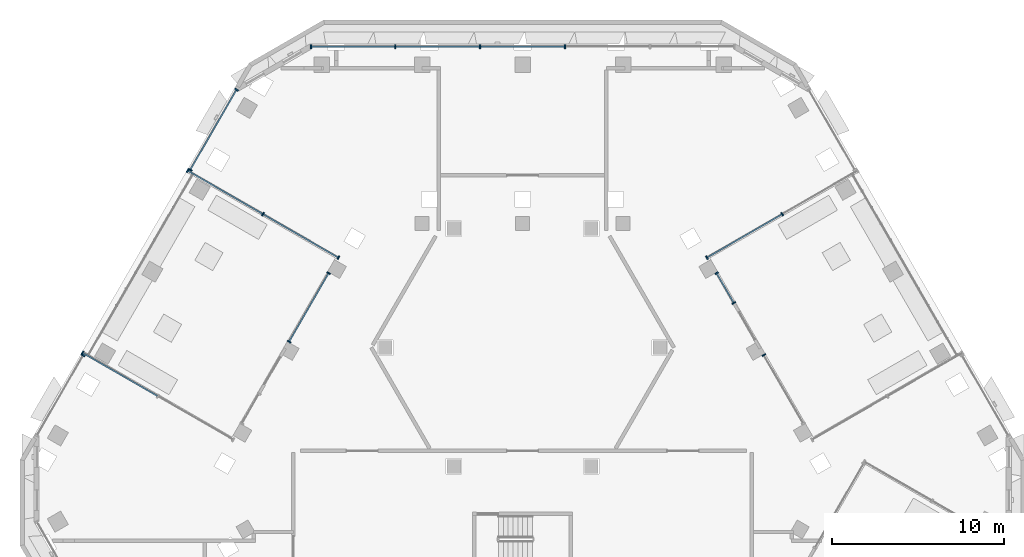
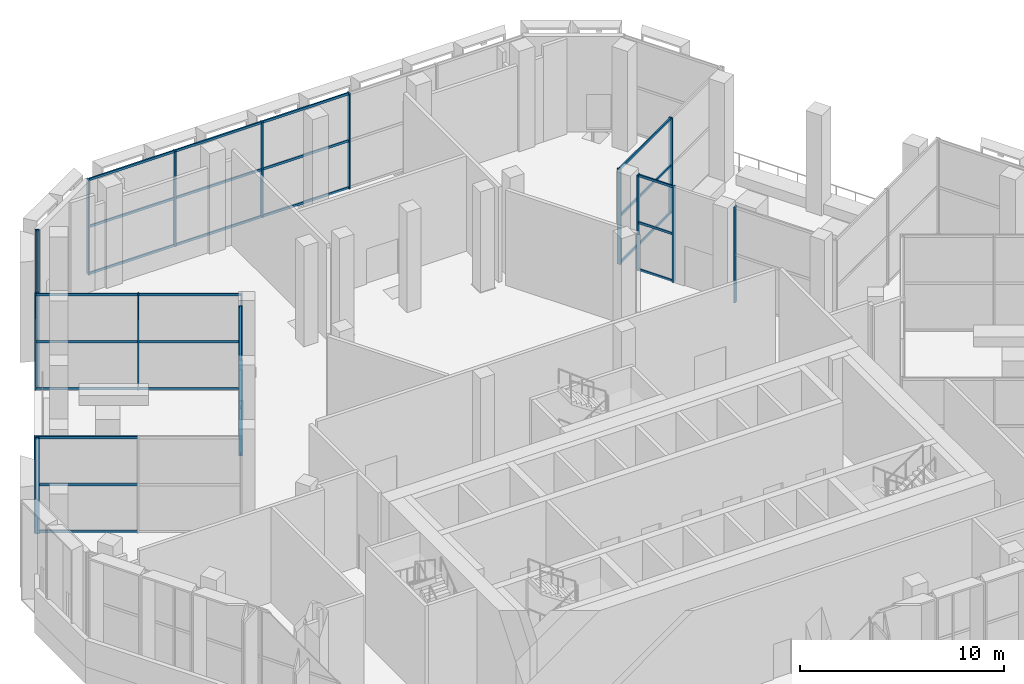
# One storey, part 5 of 27: 48 members, 9 elements without a shape of their own.
"""IFC4 building model written with IfcOpenShell, lengths in metres."""

from ifc_helpers import new_model, si_unit, direction, frame, origin, origin_2d, place, context, subcontext, project, spatial, rectangle, hollow_rectangle, extrude, material, material_profile, profile_set, type_object, element, aggregate, save


model = new_model("IFC4")

# Units and contexts
model_context = context("Model", 3, precision=1e-05, world=origin(), true_north=direction((0.0, 1.0)))
body_context = subcontext(model_context, "Body", "Model", "MODEL_VIEW")
ifc_project = project(units=[si_unit("LENGTHUNIT", "METRE"), si_unit("AREAUNIT", "SQUARE_METRE"), si_unit("VOLUMEUNIT", "CUBIC_METRE"), si_unit("PLANEANGLEUNIT", "RADIAN"), si_unit("MASSUNIT", "GRAM", prefix="KILO")], contexts=[model_context])

# Site, building, storey
site_placement = place(None, origin())
site = spatial("IfcSite", under=ifc_project, at=site_placement, CompositionType="ELEMENT")
building_placement = place(site_placement, origin())
building = spatial("IfcBuilding", under=site, at=building_placement, Name="Beryl Residences", CompositionType="ELEMENT")
storey_placement = place(building_placement, frame((0.0, 0.0, 111.60009765625)))
storey = spatial("IfcBuildingStorey", under=building, at=storey_placement, Name="L34", CompositionType="ELEMENT", Elevation=111.60009765625)

# Curtain wall, members
ifc_material_1 = material(Name="Aluminium and clear glass", Category="aluminium")
curtain_wall_type = type_object("IfcCurtainWallType", Name="CW3 sky garden glazing glazed wall", PredefinedType="NOTDEFINED", material=ifc_material_1)
curtain_wall_1_placement = place(storey_placement, origin())
curtain_wall_1 = element("IfcCurtainWall", 1, at=curtain_wall_1_placement, inside=storey, type_object=curtain_wall_type, Name="CW3 L34 N", PredefinedType="NOTDEFINED")
ifc_material_2 = material(Name="Aluminium", Category="aluminium")
ifc_material_profile_1 = material_profile(ifc_material_2, rectangle(XDim=0.080078125, YDim=0.219970703125, at=origin_2d()))
ifc_profile_set_1 = profile_set([ifc_material_profile_1], Name="Aluminium")
member_type_1 = type_object("IfcMemberType", Name="CW3-M mullion 80 x 220 mm", PredefinedType="MULLION", material=ifc_profile_set_1)
member_1_placement = place(storey_placement, frame((2.462890625, 25.449951171875, 0.0), z_axis=(0.0, 0.0, 1.0), x_axis=(-1.0, 0.0, 0.0)))
member_1 = element("IfcMember", 2, at=member_1_placement, type_object=member_type_1, Name="CW3 mullion 3", PredefinedType="MULLION", context=body_context, shape_type="SweptSolid", body=[
    extrude(rectangle(XDim=0.080078125, YDim=0.219970703125, at=origin_2d()), origin(), (0.0, 0.0, 1.0), 5.699951171875),
])
member_2_placement = place(storey_placement, frame((-2.462890625, 25.449951171875, 0.0), z_axis=(0.0, 0.0, 1.0), x_axis=(-1.0, 0.0, 0.0)))
member_2 = element("IfcMember", 3, at=member_2_placement, type_object=member_type_1, Name="CW3 mullion 4", PredefinedType="MULLION", context=body_context, shape_type="SweptSolid", body=[
    extrude(rectangle(XDim=0.080078125, YDim=0.219970703125, at=origin_2d()), origin(), (0.0, 0.0, 1.0), 5.699951171875),
])
member_3_placement = place(storey_placement, frame((-7.388916015625, 25.449951171875, 0.0), z_axis=(0.0, 0.0, 1.0), x_axis=(-1.0, 0.0, 0.0)))
member_3 = element("IfcMember", 4, at=member_3_placement, type_object=member_type_1, Name="CW3 mullion 5", PredefinedType="MULLION", context=body_context, shape_type="SweptSolid", body=[
    extrude(rectangle(XDim=0.080078125, YDim=0.219970703125, at=origin_2d()), origin(), (0.0, 0.0, 1.0), 5.699951171875),
])
member_4_placement = place(storey_placement, frame((-12.27490234375, 25.449951171875, 0.0), z_axis=(0.0, 0.0, 1.0), x_axis=(-1.0, 0.0, 0.0)))
member_4 = element("IfcMember", 5, at=member_4_placement, type_object=member_type_1, Name="CW3 mullion 6", PredefinedType="MULLION", context=body_context, shape_type="SweptSolid", body=[
    extrude(rectangle(XDim=0.080078125, YDim=0.219970703125, at=origin_2d()), origin(), (0.0, 0.0, 1.0), 5.699951171875),
])

curtain_wall_2_placement = place(storey_placement, origin())
curtain_wall_2 = element("IfcCurtainWall", 6, at=curtain_wall_2_placement, inside=storey, type_object=curtain_wall_type, Name="CW3 L34 NW", PredefinedType="NOTDEFINED")
member_5_placement = place(storey_placement, frame((-16.595947265625, 22.955322265625, 0.0), z_axis=(0.0, 0.0, 1.0), x_axis=(-0.500087950699, -0.86597461947, 0.0)))
member_5 = element("IfcMember", 7, at=member_5_placement, type_object=member_type_1, Name="CW3 mullion 1", PredefinedType="MULLION", context=body_context, shape_type="SweptSolid", body=[
    extrude(rectangle(XDim=0.080078125, YDim=0.219970703125, at=origin_2d()), origin(), (0.0, 0.0, 1.0), 5.699951171875),
])
member_6_placement = place(storey_placement, frame((-19.280029296875, 18.3076171875, 0.0), z_axis=(0.0, 0.0, 1.0), x_axis=(-0.500087950699, -0.86597461947, 0.0)))
member_6 = element("IfcMember", 8, at=member_6_placement, type_object=member_type_1, Name="CW3 mullion 2", PredefinedType="MULLION", context=body_context, shape_type="SweptSolid", body=[
    extrude(rectangle(XDim=0.080078125, YDim=0.219970703125, at=origin_2d()), origin(), (0.0, 0.0, 1.0), 5.699951171875),
])

# Curtain wall, member
curtain_wall_3_placement = place(storey_placement, origin())
curtain_wall_3 = element("IfcCurtainWall", 9, at=curtain_wall_3_placement, inside=storey, type_object=curtain_wall_type, Name="CW3 L34 NW", PredefinedType="NOTDEFINED")
member_7_placement = place(storey_placement, frame((-25.4951171875, 7.542236328125, 0.0), z_axis=(0.0, 0.0, 1.0), x_axis=(-0.499950258479, -0.866054120161, 0.0)))
member_7 = element("IfcMember", 10, at=member_7_placement, type_object=member_type_1, Name="CW3 mullion 1", PredefinedType="MULLION", context=body_context, shape_type="SweptSolid", body=[
    extrude(rectangle(XDim=0.080078125, YDim=0.219970703125, at=origin_2d()), origin(), (0.0, 0.0, 1.0), 5.699951171875),
])
aggregate(curtain_wall_3, [member_7])

# Curtain wall, members
curtain_wall_4_placement = place(storey_placement, origin())
curtain_wall_4 = element("IfcCurtainWall", 11, at=curtain_wall_4_placement, inside=storey, type_object=curtain_wall_type, Name="CW3 L34 NW garden back", PredefinedType="NOTDEFINED")
member_8_placement = place(storey_placement, frame((-11.2509765625, 12.314453125, 0.0), z_axis=(0.0, 0.0, 1.0), x_axis=(-0.49982123965, -0.866128586524, 0.0)))
member_8 = element("IfcMember", 12, at=member_8_placement, type_object=member_type_1, Name="CW3 mullion 1", PredefinedType="MULLION", context=body_context, shape_type="SweptSolid", body=[
    extrude(rectangle(XDim=0.080078125, YDim=0.219970703125, at=origin_2d()), origin(), (0.0, 0.0, 1.0), 5.699951171875),
])
member_9_placement = place(storey_placement, frame((-13.547119140625, 8.335693359375, 0.0), z_axis=(0.0, 0.0, 1.0), x_axis=(-0.49982123965, -0.866128586524, 0.0)))
member_9 = element("IfcMember", 13, at=member_9_placement, type_object=member_type_1, Name="CW3 mullion 2", PredefinedType="MULLION", context=body_context, shape_type="SweptSolid", body=[
    extrude(rectangle(XDim=0.080078125, YDim=0.219970703125, at=origin_2d()), origin(), (0.0, 0.0, 1.0), 5.699951171875),
])

curtain_wall_5_placement = place(storey_placement, origin())
curtain_wall_5 = element("IfcCurtainWall", 14, at=curtain_wall_5_placement, inside=storey, type_object=curtain_wall_type, Name="CW3 L34 NW garden left", PredefinedType="NOTDEFINED")
member_10_placement = place(storey_placement, frame((-19.432373046875, 18.262939453125, 0.0), z_axis=(0.0, 0.0, 1.0), x_axis=(0.866008831285, -0.500028703312, 0.0)))
member_10 = element("IfcMember", 15, at=member_10_placement, type_object=member_type_1, Name="CW3 mullion 1", PredefinedType="MULLION", context=body_context, shape_type="SweptSolid", body=[
    extrude(rectangle(XDim=0.080078125, YDim=0.219970703125, at=origin_2d()), origin(), (0.0, 0.0, 1.0), 5.699951171875),
])
member_11_placement = place(storey_placement, frame((-15.06103515625, 15.739013671875, 0.0), z_axis=(0.0, 0.0, 1.0), x_axis=(0.866008831285, -0.500028703312, 0.0)))
member_11 = element("IfcMember", 16, at=member_11_placement, type_object=member_type_1, Name="CW3 mullion 2", PredefinedType="MULLION", context=body_context, shape_type="SweptSolid", body=[
    extrude(rectangle(XDim=0.080078125, YDim=0.219970703125, at=origin_2d()), origin(), (0.0, 0.0, 1.0), 5.699951171875),
])
member_12_placement = place(storey_placement, frame((-10.689697265625, 13.215087890625, 0.0), z_axis=(0.0, 0.0, 1.0), x_axis=(0.866008831285, -0.500028703312, 0.0)))
member_12 = element("IfcMember", 17, at=member_12_placement, type_object=member_type_1, Name="CW3 mullion 3", PredefinedType="MULLION", context=body_context, shape_type="SweptSolid", body=[
    extrude(rectangle(XDim=0.080078125, YDim=0.219970703125, at=origin_2d()), origin(), (0.0, 0.0, 1.0), 5.699951171875),
])

# Curtain wall, member
curtain_wall_6_placement = place(storey_placement, origin())
curtain_wall_6 = element("IfcCurtainWall", 18, at=curtain_wall_6_placement, inside=storey, type_object=curtain_wall_type, Name="CW3 L34 NW garden right", PredefinedType="NOTDEFINED")
member_13_placement = place(storey_placement, frame((-25.532470703125, 7.697021484375, 0.0), z_axis=(0.0, 0.0, 1.0), x_axis=(0.866051386658, -0.499954993642, 0.0)))
member_13 = element("IfcMember", 19, at=member_13_placement, type_object=member_type_1, Name="CW3 mullion 1", PredefinedType="MULLION", context=body_context, shape_type="SweptSolid", body=[
    extrude(rectangle(XDim=0.080078125, YDim=0.219970703125, at=origin_2d()), origin(), (0.0, 0.0, 1.0), 5.699951171875),
])

curtain_wall_7_placement = place(storey_placement, origin())
curtain_wall_7 = element("IfcCurtainWall", 20, at=curtain_wall_7_placement, inside=storey, type_object=curtain_wall_type, Name="CW3 L34 NE garden back", PredefinedType="NOTDEFINED")
member_14_placement = place(storey_placement, frame((13.991943359375, 7.564453125, 0.0), z_axis=(0.0, 0.0, 1.0), x_axis=(-0.500142160005, 0.865943312108, 0.0)))
member_14 = element("IfcMember", 21, at=member_14_placement, type_object=member_type_1, Name="CW3 mullion 2", PredefinedType="MULLION", context=body_context, shape_type="SweptSolid", body=[
    extrude(rectangle(XDim=0.080078125, YDim=0.219970703125, at=origin_2d()), origin(), (0.0, 0.0, 1.0), 5.699951171875),
])
aggregate(curtain_wall_7, [member_14])

# Curtain wall, members
curtain_wall_8_placement = place(storey_placement, origin())
curtain_wall_8 = element("IfcCurtainWall", 22, at=curtain_wall_8_placement, inside=storey, type_object=curtain_wall_type, Name="CW3 L34 NE garden back", PredefinedType="NOTDEFINED")
member_15_placement = place(storey_placement, frame((12.25, 10.58251953125, 0.0), z_axis=(0.0, 0.0, 1.0), x_axis=(-0.500069298337, 0.865985390674, 0.0)))
member_15 = element("IfcMember", 23, at=member_15_placement, type_object=member_type_1, Name="CW3 mullion 1", PredefinedType="MULLION", context=body_context, shape_type="SweptSolid", body=[
    extrude(rectangle(XDim=0.080078125, YDim=0.219970703125, at=origin_2d()), origin(), (0.0, 0.0, 1.0), 5.699951171875),
])
member_16_placement = place(storey_placement, frame((11.25, 12.314453125, 0.0), z_axis=(0.0, 0.0, 1.0), x_axis=(-0.500069298337, 0.865985390674, 0.0)))
member_16 = element("IfcMember", 24, at=member_16_placement, type_object=member_type_1, Name="CW3 mullion 2", PredefinedType="MULLION", context=body_context, shape_type="SweptSolid", body=[
    extrude(rectangle(XDim=0.080078125, YDim=0.219970703125, at=origin_2d()), origin(), (0.0, 0.0, 1.0), 5.699951171875),
])

curtain_wall_9_placement = place(storey_placement, origin())
curtain_wall_9 = element("IfcCurtainWall", 25, at=curtain_wall_9_placement, inside=storey, type_object=curtain_wall_type, Name="CW3 L34 NE garden right", PredefinedType="NOTDEFINED")
member_17_placement = place(storey_placement, frame((15.06103515625, 15.739013671875, 0.0), z_axis=(0.0, 0.0, 1.0), x_axis=(-0.866008831285, -0.500028703312, 0.0)))
member_17 = element("IfcMember", 26, at=member_17_placement, type_object=member_type_1, Name="CW3 mullion 2", PredefinedType="MULLION", context=body_context, shape_type="SweptSolid", body=[
    extrude(rectangle(XDim=0.080078125, YDim=0.219970703125, at=origin_2d()), origin(), (0.0, 0.0, 1.0), 5.699951171875),
])
member_18_placement = place(storey_placement, frame((10.689697265625, 13.215087890625, 0.0), z_axis=(0.0, 0.0, 1.0), x_axis=(-0.866008831285, -0.500028703312, 0.0)))
member_18 = element("IfcMember", 27, at=member_18_placement, type_object=member_type_1, Name="CW3 mullion 3", PredefinedType="MULLION", context=body_context, shape_type="SweptSolid", body=[
    extrude(rectangle(XDim=0.080078125, YDim=0.219970703125, at=origin_2d()), origin(), (0.0, 0.0, 1.0), 5.699951171875),
])

# Member
ifc_material_3 = material(Name="Aluminium", Category="aluminium")
ifc_material_profile_2 = material_profile(ifc_material_3, hollow_rectangle(XDim=0.080078125, YDim=0.139892578125, WallThickness=0.00390625, at=origin_2d()))
ifc_profile_set_2 = profile_set([ifc_material_profile_2], Name="Aluminium")
member_type_2 = type_object("IfcMemberType", Name="CW3-T transom 80 x 140 mm", PredefinedType="USERDEFINED", material=ifc_profile_set_2)
member_19_placement = place(storey_placement, frame((2.423095703125, 25.449951171875, 0.039794921875), z_axis=(-1.0, 0.0, 0.0), x_axis=(0.0, -1.0, 0.0)))
member_19 = element("IfcMember", 28, at=member_19_placement, type_object=member_type_2, Name="CW3 transom 3.1", ObjectType="TRANSOM", PredefinedType="USERDEFINED", context=body_context, shape_type="SweptSolid", body=[
    extrude(hollow_rectangle(XDim=0.080078125, YDim=0.139892578125, WallThickness=0.00390625, at=origin_2d()), origin(), (0.0, 0.0, 1.0), 4.84619140625),
])

member_20_placement = place(storey_placement, frame((2.423095703125, 25.449951171875, 2.849853515625), z_axis=(-1.0, 0.0, 0.0), x_axis=(0.0, -1.0, 0.0)))
member_20 = element("IfcMember", 29, at=member_20_placement, type_object=member_type_2, Name="CW3 transom 3.2", ObjectType="TRANSOM", PredefinedType="USERDEFINED", context=body_context, shape_type="SweptSolid", body=[
    extrude(hollow_rectangle(XDim=0.080078125, YDim=0.139892578125, WallThickness=0.00390625, at=origin_2d()), origin(), (0.0, 0.0, 1.0), 4.84619140625),
])

member_21_placement = place(storey_placement, frame((2.423095703125, 25.449951171875, 5.659912109375), z_axis=(-1.0, 0.0, 0.0), x_axis=(0.0, -1.0, 0.0)))
member_21 = element("IfcMember", 30, at=member_21_placement, type_object=member_type_2, Name="CW3 transom 3.3", ObjectType="TRANSOM", PredefinedType="USERDEFINED", context=body_context, shape_type="SweptSolid", body=[
    extrude(hollow_rectangle(XDim=0.080078125, YDim=0.139892578125, WallThickness=0.00390625, at=origin_2d()), origin(), (0.0, 0.0, 1.0), 4.84619140625),
])

member_22_placement = place(storey_placement, frame((-2.5029296875, 25.449951171875, 0.039794921875), z_axis=(-1.0, 0.0, 0.0), x_axis=(0.0, -1.0, 0.0)))
member_22 = element("IfcMember", 31, at=member_22_placement, type_object=member_type_2, Name="CW3 transom 4.1", ObjectType="TRANSOM", PredefinedType="USERDEFINED", context=body_context, shape_type="SweptSolid", body=[
    extrude(hollow_rectangle(XDim=0.080078125, YDim=0.139892578125, WallThickness=0.00390625, at=origin_2d()), origin(), (0.0, 0.0, 1.0), 4.84619140625),
])

member_23_placement = place(storey_placement, frame((-2.5029296875, 25.449951171875, 2.849853515625), z_axis=(-1.0, 0.0, 0.0), x_axis=(0.0, -1.0, 0.0)))
member_23 = element("IfcMember", 32, at=member_23_placement, type_object=member_type_2, Name="CW3 transom 4.2", ObjectType="TRANSOM", PredefinedType="USERDEFINED", context=body_context, shape_type="SweptSolid", body=[
    extrude(hollow_rectangle(XDim=0.080078125, YDim=0.139892578125, WallThickness=0.00390625, at=origin_2d()), origin(), (0.0, 0.0, 1.0), 4.84619140625),
])

member_24_placement = place(storey_placement, frame((-2.5029296875, 25.449951171875, 5.659912109375), z_axis=(-1.0, 0.0, 0.0), x_axis=(0.0, -1.0, 0.0)))
member_24 = element("IfcMember", 33, at=member_24_placement, type_object=member_type_2, Name="CW3 transom 4.3", ObjectType="TRANSOM", PredefinedType="USERDEFINED", context=body_context, shape_type="SweptSolid", body=[
    extrude(hollow_rectangle(XDim=0.080078125, YDim=0.139892578125, WallThickness=0.00390625, at=origin_2d()), origin(), (0.0, 0.0, 1.0), 4.84619140625),
])

member_25_placement = place(storey_placement, frame((-7.428955078125, 25.449951171875, 0.039794921875), z_axis=(-1.0, 0.0, 0.0), x_axis=(0.0, -1.0, 0.0)))
member_25 = element("IfcMember", 34, at=member_25_placement, type_object=member_type_2, Name="CW3 transom 5.1", ObjectType="TRANSOM", PredefinedType="USERDEFINED", context=body_context, shape_type="SweptSolid", body=[
    extrude(hollow_rectangle(XDim=0.080078125, YDim=0.139892578125, WallThickness=0.00390625, at=origin_2d()), origin(), (0.0, 0.0, 1.0), 4.80615234375),
])

member_26_placement = place(storey_placement, frame((-7.428955078125, 25.449951171875, 2.849853515625), z_axis=(-1.0, 0.0, 0.0), x_axis=(0.0, -1.0, 0.0)))
member_26 = element("IfcMember", 35, at=member_26_placement, type_object=member_type_2, Name="CW3 transom 5.2", ObjectType="TRANSOM", PredefinedType="USERDEFINED", context=body_context, shape_type="SweptSolid", body=[
    extrude(hollow_rectangle(XDim=0.080078125, YDim=0.139892578125, WallThickness=0.00390625, at=origin_2d()), origin(), (0.0, 0.0, 1.0), 4.80615234375),
])

member_27_placement = place(storey_placement, frame((-7.428955078125, 25.449951171875, 5.659912109375), z_axis=(-1.0, 0.0, 0.0), x_axis=(0.0, -1.0, 0.0)))
member_27 = element("IfcMember", 36, at=member_27_placement, type_object=member_type_2, Name="CW3 transom 5.3", ObjectType="TRANSOM", PredefinedType="USERDEFINED", context=body_context, shape_type="SweptSolid", body=[
    extrude(hollow_rectangle(XDim=0.080078125, YDim=0.139892578125, WallThickness=0.00390625, at=origin_2d()), origin(), (0.0, 0.0, 1.0), 4.80615234375),
])

aggregate(curtain_wall_1, [member_1, member_2, member_3, member_4, member_19, member_20, member_21, member_22, member_23, member_24, member_25, member_26, member_27])

member_28_placement = place(storey_placement, frame((-16.615966796875, 22.920654296875, 0.039794921875), z_axis=(-0.500102178127, -0.865966403178, 0.0), x_axis=(0.865966403178, -0.500102178127, 0.0)))
member_28 = element("IfcMember", 37, at=member_28_placement, type_object=member_type_2, Name="CW3 transom 1.1", ObjectType="TRANSOM", PredefinedType="USERDEFINED", context=body_context, shape_type="SweptSolid", body=[
    extrude(hollow_rectangle(XDim=0.080078125, YDim=0.139892578125, WallThickness=0.00390625, at=origin_2d()), origin(), (0.0, 0.0, 1.0), 5.287109375),
])

member_29_placement = place(storey_placement, frame((-16.615966796875, 22.920654296875, 2.849853515625), z_axis=(-0.500102178127, -0.865966403178, 0.0), x_axis=(0.865966403178, -0.500102178127, 0.0)))
member_29 = element("IfcMember", 38, at=member_29_placement, type_object=member_type_2, Name="CW3 transom 1.2", ObjectType="TRANSOM", PredefinedType="USERDEFINED", context=body_context, shape_type="SweptSolid", body=[
    extrude(hollow_rectangle(XDim=0.080078125, YDim=0.139892578125, WallThickness=0.00390625, at=origin_2d()), origin(), (0.0, 0.0, 1.0), 5.287109375),
])

member_30_placement = place(storey_placement, frame((-16.615966796875, 22.920654296875, 5.659912109375), z_axis=(-0.500102178127, -0.865966403178, 0.0), x_axis=(0.865966403178, -0.500102178127, 0.0)))
member_30 = element("IfcMember", 39, at=member_30_placement, type_object=member_type_2, Name="CW3 transom 1.3", ObjectType="TRANSOM", PredefinedType="USERDEFINED", context=body_context, shape_type="SweptSolid", body=[
    extrude(hollow_rectangle(XDim=0.080078125, YDim=0.139892578125, WallThickness=0.00390625, at=origin_2d()), origin(), (0.0, 0.0, 1.0), 5.287109375),
])

aggregate(curtain_wall_2, [member_5, member_6, member_28, member_29, member_30])

member_31_placement = place(storey_placement, frame((-11.27099609375, 12.27978515625, 0.039794921875), z_axis=(-0.499833268111, -0.866121645088, 0.0), x_axis=(0.866121645088, -0.499833268111, 0.0)))
member_31 = element("IfcMember", 40, at=member_31_placement, type_object=member_type_2, Name="CW3 transom 1.1", ObjectType="TRANSOM", PredefinedType="USERDEFINED", context=body_context, shape_type="SweptSolid", body=[
    extrude(hollow_rectangle(XDim=0.080078125, YDim=0.139892578125, WallThickness=0.00390625, at=origin_2d()), origin(), (0.0, 0.0, 1.0), 4.513671875),
])

member_32_placement = place(storey_placement, frame((-11.27099609375, 12.27978515625, 2.849853515625), z_axis=(-0.499833268111, -0.866121645088, 0.0), x_axis=(0.866121645088, -0.499833268111, 0.0)))
member_32 = element("IfcMember", 41, at=member_32_placement, type_object=member_type_2, Name="CW3 transom 1.2", ObjectType="TRANSOM", PredefinedType="USERDEFINED", context=body_context, shape_type="SweptSolid", body=[
    extrude(hollow_rectangle(XDim=0.080078125, YDim=0.139892578125, WallThickness=0.00390625, at=origin_2d()), origin(), (0.0, 0.0, 1.0), 4.513671875),
])

member_33_placement = place(storey_placement, frame((-11.27099609375, 12.27978515625, 5.659912109375), z_axis=(-0.499833268111, -0.866121645088, 0.0), x_axis=(0.866121645088, -0.499833268111, 0.0)))
member_33 = element("IfcMember", 42, at=member_33_placement, type_object=member_type_2, Name="CW3 transom 1.3", ObjectType="TRANSOM", PredefinedType="USERDEFINED", context=body_context, shape_type="SweptSolid", body=[
    extrude(hollow_rectangle(XDim=0.080078125, YDim=0.139892578125, WallThickness=0.00390625, at=origin_2d()), origin(), (0.0, 0.0, 1.0), 4.513671875),
])

aggregate(curtain_wall_4, [member_8, member_9, member_31, member_32, member_33])

member_34_placement = place(storey_placement, frame((-19.397705078125, 18.242919921875, 0.039794921875), z_axis=(0.866014530895, -0.500018831924, 0.0), x_axis=(0.500018831924, 0.866014530895, 0.0)))
member_34 = element("IfcMember", 43, at=member_34_placement, type_object=member_type_2, Name="CW3 transom 1.1", ObjectType="TRANSOM", PredefinedType="USERDEFINED", context=body_context, shape_type="SweptSolid", body=[
    extrude(hollow_rectangle(XDim=0.080078125, YDim=0.139892578125, WallThickness=0.00390625, at=origin_2d()), origin(), (0.0, 0.0, 1.0), 4.967529296875),
])

member_35_placement = place(storey_placement, frame((-19.397705078125, 18.242919921875, 2.849853515625), z_axis=(0.866014530895, -0.500018831924, 0.0), x_axis=(0.500018831924, 0.866014530895, 0.0)))
member_35 = element("IfcMember", 44, at=member_35_placement, type_object=member_type_2, Name="CW3 transom 1.2", ObjectType="TRANSOM", PredefinedType="USERDEFINED", context=body_context, shape_type="SweptSolid", body=[
    extrude(hollow_rectangle(XDim=0.080078125, YDim=0.139892578125, WallThickness=0.00390625, at=origin_2d()), origin(), (0.0, 0.0, 1.0), 4.967529296875),
])

member_36_placement = place(storey_placement, frame((-19.397705078125, 18.242919921875, 5.659912109375), z_axis=(0.866014530895, -0.500018831924, 0.0), x_axis=(0.500018831924, 0.866014530895, 0.0)))
member_36 = element("IfcMember", 45, at=member_36_placement, type_object=member_type_2, Name="CW3 transom 1.3", ObjectType="TRANSOM", PredefinedType="USERDEFINED", context=body_context, shape_type="SweptSolid", body=[
    extrude(hollow_rectangle(XDim=0.080078125, YDim=0.139892578125, WallThickness=0.00390625, at=origin_2d()), origin(), (0.0, 0.0, 1.0), 4.967529296875),
])

member_37_placement = place(storey_placement, frame((-15.0263671875, 15.718994140625, 0.039794921875), z_axis=(0.866014530895, -0.500018831924, 0.0), x_axis=(0.500018831924, 0.866014530895, 0.0)))
member_37 = element("IfcMember", 46, at=member_37_placement, type_object=member_type_2, Name="CW3 transom 2.1", ObjectType="TRANSOM", PredefinedType="USERDEFINED", context=body_context, shape_type="SweptSolid", body=[
    extrude(hollow_rectangle(XDim=0.080078125, YDim=0.139892578125, WallThickness=0.00390625, at=origin_2d()), origin(), (0.0, 0.0, 1.0), 4.967529296875),
])

member_38_placement = place(storey_placement, frame((-15.0263671875, 15.718994140625, 2.849853515625), z_axis=(0.866014530895, -0.500018831924, 0.0), x_axis=(0.500018831924, 0.866014530895, 0.0)))
member_38 = element("IfcMember", 47, at=member_38_placement, type_object=member_type_2, Name="CW3 transom 2.2", ObjectType="TRANSOM", PredefinedType="USERDEFINED", context=body_context, shape_type="SweptSolid", body=[
    extrude(hollow_rectangle(XDim=0.080078125, YDim=0.139892578125, WallThickness=0.00390625, at=origin_2d()), origin(), (0.0, 0.0, 1.0), 4.967529296875),
])

member_39_placement = place(storey_placement, frame((-15.0263671875, 15.718994140625, 5.659912109375), z_axis=(0.866014530895, -0.500018831924, 0.0), x_axis=(0.500018831924, 0.866014530895, 0.0)))
member_39 = element("IfcMember", 48, at=member_39_placement, type_object=member_type_2, Name="CW3 transom 2.3", ObjectType="TRANSOM", PredefinedType="USERDEFINED", context=body_context, shape_type="SweptSolid", body=[
    extrude(hollow_rectangle(XDim=0.080078125, YDim=0.139892578125, WallThickness=0.00390625, at=origin_2d()), origin(), (0.0, 0.0, 1.0), 4.967529296875),
])

aggregate(curtain_wall_5, [member_10, member_11, member_12, member_34, member_35, member_36, member_37, member_38, member_39])

member_40_placement = place(storey_placement, frame((-25.497802734375, 7.677001953125, 0.039794921875), z_axis=(0.866069377039, -0.499923828353, 0.0), x_axis=(0.499923828353, 0.866069377039, 0.0)))
member_40 = element("IfcMember", 49, at=member_40_placement, type_object=member_type_2, Name="CW3 transom 1.1", ObjectType="TRANSOM", PredefinedType="USERDEFINED", context=body_context, shape_type="SweptSolid", body=[
    extrude(hollow_rectangle(XDim=0.080078125, YDim=0.139892578125, WallThickness=0.00390625, at=origin_2d()), origin(), (0.0, 0.0, 1.0), 4.967529296875),
])

member_41_placement = place(storey_placement, frame((-25.497802734375, 7.677001953125, 2.849853515625), z_axis=(0.866069377039, -0.499923828353, 0.0), x_axis=(0.499923828353, 0.866069377039, 0.0)))
member_41 = element("IfcMember", 50, at=member_41_placement, type_object=member_type_2, Name="CW3 transom 1.2", ObjectType="TRANSOM", PredefinedType="USERDEFINED", context=body_context, shape_type="SweptSolid", body=[
    extrude(hollow_rectangle(XDim=0.080078125, YDim=0.139892578125, WallThickness=0.00390625, at=origin_2d()), origin(), (0.0, 0.0, 1.0), 4.967529296875),
])

member_42_placement = place(storey_placement, frame((-25.497802734375, 7.677001953125, 5.659912109375), z_axis=(0.866069377039, -0.499923828353, 0.0), x_axis=(0.499923828353, 0.866069377039, 0.0)))
member_42 = element("IfcMember", 51, at=member_42_placement, type_object=member_type_2, Name="CW3 transom 1.3", ObjectType="TRANSOM", PredefinedType="USERDEFINED", context=body_context, shape_type="SweptSolid", body=[
    extrude(hollow_rectangle(XDim=0.080078125, YDim=0.139892578125, WallThickness=0.00390625, at=origin_2d()), origin(), (0.0, 0.0, 1.0), 4.967529296875),
])

aggregate(curtain_wall_6, [member_13, member_40, member_41, member_42])

member_43_placement = place(storey_placement, frame((12.22998046875, 10.6171875, 0.039794921875), z_axis=(-0.500023335103, 0.866011930837, 0.0), x_axis=(-0.866011930837, -0.500023335103, 0.0)))
member_43 = element("IfcMember", 52, at=member_43_placement, type_object=member_type_2, Name="CW3 transom 1.1", ObjectType="TRANSOM", PredefinedType="USERDEFINED", context=body_context, shape_type="SweptSolid", body=[
    extrude(hollow_rectangle(XDim=0.080078125, YDim=0.139892578125, WallThickness=0.00390625, at=origin_2d()), origin(), (0.0, 0.0, 1.0), 1.919921875),
])

member_44_placement = place(storey_placement, frame((12.22998046875, 10.6171875, 2.849853515625), z_axis=(-0.500023335103, 0.866011930837, 0.0), x_axis=(-0.866011930837, -0.500023335103, 0.0)))
member_44 = element("IfcMember", 53, at=member_44_placement, type_object=member_type_2, Name="CW3 transom 1.2", ObjectType="TRANSOM", PredefinedType="USERDEFINED", context=body_context, shape_type="SweptSolid", body=[
    extrude(hollow_rectangle(XDim=0.080078125, YDim=0.139892578125, WallThickness=0.00390625, at=origin_2d()), origin(), (0.0, 0.0, 1.0), 1.919921875),
])

member_45_placement = place(storey_placement, frame((12.22998046875, 10.6171875, 5.659912109375), z_axis=(-0.500023335103, 0.866011930837, 0.0), x_axis=(-0.866011930837, -0.500023335103, 0.0)))
member_45 = element("IfcMember", 54, at=member_45_placement, type_object=member_type_2, Name="CW3 transom 1.3", ObjectType="TRANSOM", PredefinedType="USERDEFINED", context=body_context, shape_type="SweptSolid", body=[
    extrude(hollow_rectangle(XDim=0.080078125, YDim=0.139892578125, WallThickness=0.00390625, at=origin_2d()), origin(), (0.0, 0.0, 1.0), 1.919921875),
])

aggregate(curtain_wall_8, [member_15, member_16, member_43, member_44, member_45])

member_46_placement = place(storey_placement, frame((15.0263671875, 15.718994140625, 0.039794921875), z_axis=(-0.866014530895, -0.500018831924, 0.0), x_axis=(0.500018831924, -0.866014530895, 0.0)))
member_46 = element("IfcMember", 55, at=member_46_placement, type_object=member_type_2, Name="CW3 transom 2.1", ObjectType="TRANSOM", PredefinedType="USERDEFINED", context=body_context, shape_type="SweptSolid", body=[
    extrude(hollow_rectangle(XDim=0.080078125, YDim=0.139892578125, WallThickness=0.00390625, at=origin_2d()), origin(), (0.0, 0.0, 1.0), 4.967529296875),
])

member_47_placement = place(storey_placement, frame((15.0263671875, 15.718994140625, 2.849853515625), z_axis=(-0.866014530895, -0.500018831924, 0.0), x_axis=(0.500018831924, -0.866014530895, 0.0)))
member_47 = element("IfcMember", 56, at=member_47_placement, type_object=member_type_2, Name="CW3 transom 2.2", ObjectType="TRANSOM", PredefinedType="USERDEFINED", context=body_context, shape_type="SweptSolid", body=[
    extrude(hollow_rectangle(XDim=0.080078125, YDim=0.139892578125, WallThickness=0.00390625, at=origin_2d()), origin(), (0.0, 0.0, 1.0), 4.967529296875),
])

member_48_placement = place(storey_placement, frame((15.0263671875, 15.718994140625, 5.659912109375), z_axis=(-0.866014530895, -0.500018831924, 0.0), x_axis=(0.500018831924, -0.866014530895, 0.0)))
member_48 = element("IfcMember", 57, at=member_48_placement, type_object=member_type_2, Name="CW3 transom 2.3", ObjectType="TRANSOM", PredefinedType="USERDEFINED", context=body_context, shape_type="SweptSolid", body=[
    extrude(hollow_rectangle(XDim=0.080078125, YDim=0.139892578125, WallThickness=0.00390625, at=origin_2d()), origin(), (0.0, 0.0, 1.0), 4.967529296875),
])

aggregate(curtain_wall_9, [member_17, member_18, member_46, member_47, member_48])

save(model, "model.ifc")
